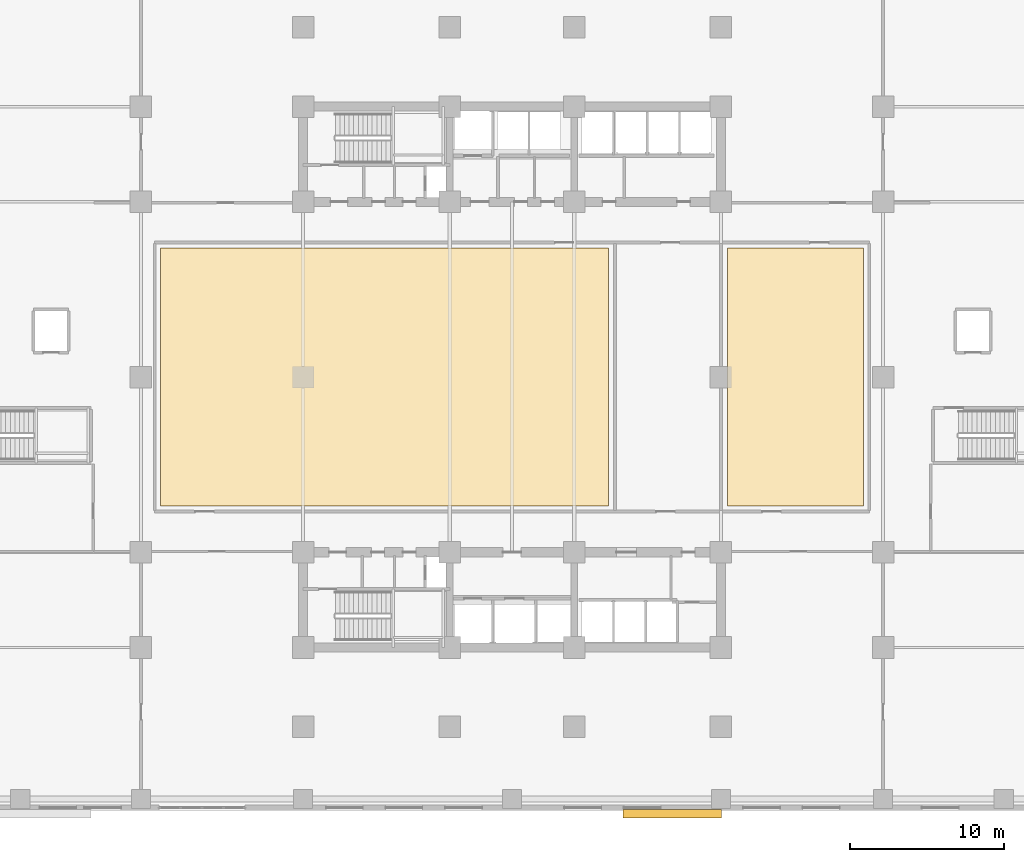
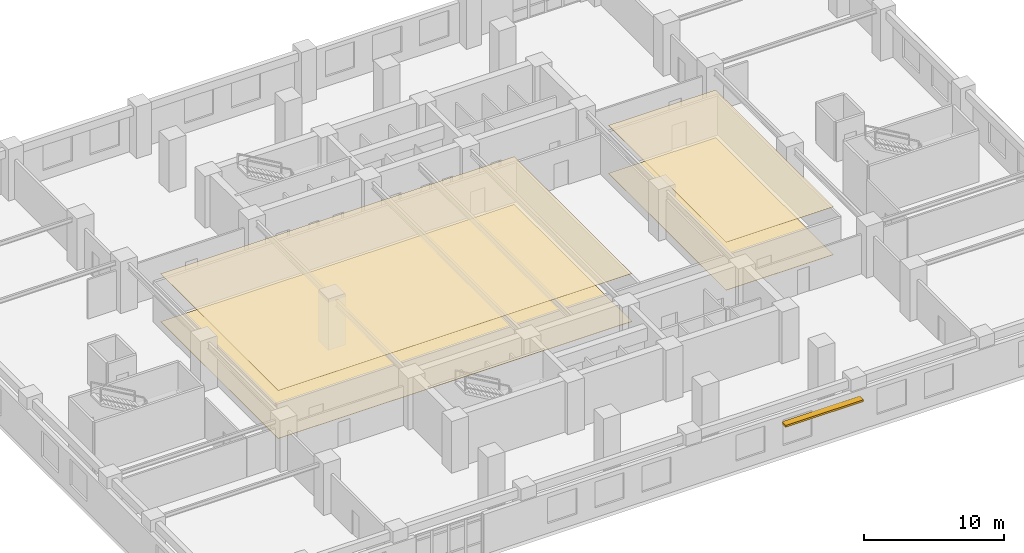
# One storey, part 12 of 14: 4 coverings, 1 shading device.
"""IFC4 building model written with IfcOpenShell, lengths in metres."""

from ifc_helpers import new_model, si_unit, direction, frame, origin, origin_2d, place, context, subcontext, project, spatial, polyline, rectangle, outline, extrude, material, layer, layer_set, type_object, element, save


model = new_model("IFC4")

# Units and contexts
model_context = context("Model", 3, precision=1e-05, world=origin(), true_north=direction((0.0, 1.0)))
body_context = subcontext(model_context, "Body", "Model", "MODEL_VIEW")
ifc_project = project(units=[si_unit("LENGTHUNIT", "METRE"), si_unit("AREAUNIT", "SQUARE_METRE"), si_unit("VOLUMEUNIT", "CUBIC_METRE"), si_unit("PLANEANGLEUNIT", "RADIAN"), si_unit("MASSUNIT", "GRAM", prefix="KILO")], contexts=[model_context])

# Site, building, storey
site_placement = place(None, origin())
site = spatial("IfcSite", under=ifc_project, at=site_placement, CompositionType="ELEMENT")
building_placement = place(site_placement, origin())
building = spatial("IfcBuilding", under=site, at=building_placement, Name="Svetorya Sky Lyceum", CompositionType="ELEMENT")
storey_placement = place(building_placement, frame((0.0, 0.0, 15.60009765625)))
storey = spatial("IfcBuildingStorey", under=building, at=storey_placement, Name="L03", CompositionType="ELEMENT", Elevation=15.60009765625)

# Coverings
ifc_material_1 = material(Name="Perforated acoustic gypsum ceiling board")
ifc_layer_1 = layer(ifc_material_1, 0.01806640625)
ifc_layer_set_1 = layer_set([ifc_layer_1], Name="Perforated acoustic gypsum ceiling board")
covering_type_1 = type_object("IfcCoveringType", Name="COV-CLG-GYP", PredefinedType="CEILING", material=ifc_layer_set_1)
covering_1_placement = place(storey_placement, frame((0.0, 0.0, 4.181884765625)))
element("IfcCovering", 1, at=covering_1_placement, inside=storey, type_object=covering_type_1, Name="Gymnasium Sports Hall Acoustic Ceiling", PredefinedType="CEILING", context=body_context, shape_type="SweptSolid", body=[
    extrude(outline(polyline([(16.330078125, 19.800048828125), (45.469970703125, 19.800048828125), (45.469970703125, 36.60009765625), (16.330078125, 36.60009765625), (16.330078125, 19.800048828125)])), origin(), (0.0, 0.0, 1.0), 0.01806640625),
])
covering_2_placement = place(storey_placement, frame((0.0, 0.0, 4.181884765625)))
element("IfcCovering", 2, at=covering_2_placement, inside=storey, type_object=covering_type_1, Name="Laboratory Chemistry Teaching Acoustic Ceiling", PredefinedType="CEILING", context=body_context, shape_type="SweptSolid", body=[
    extrude(outline(polyline([(53.22998046875, 19.800048828125), (62.070068359375, 19.800048828125), (62.070068359375, 36.60009765625), (53.22998046875, 36.60009765625), (53.22998046875, 19.800048828125)])), origin(), (0.0, 0.0, 1.0), 0.01806640625),
])
ifc_material_2 = material(Name="Honed Karelian granite terrazzo flooring", Category="masonry")
ifc_layer_2 = layer(ifc_material_2, 0.030029296875)
ifc_layer_set_2 = layer_set([ifc_layer_2], Name="Honed Karelian granite terrazzo flooring")
covering_type_2 = type_object("IfcCoveringType", Name="COV-FLR-TER", PredefinedType="FLOORING", material=ifc_layer_set_2)
covering_3_placement = place(storey_placement, origin())
element("IfcCovering", 3, at=covering_3_placement, inside=storey, type_object=covering_type_2, Name="Gymnasium Sports Hall Architectural Flooring", PredefinedType="FLOORING", context=body_context, shape_type="SweptSolid", body=[
    extrude(outline(polyline([(16.330078125, 19.800048828125), (45.469970703125, 19.800048828125), (45.469970703125, 36.60009765625), (16.330078125, 36.60009765625), (16.330078125, 19.800048828125)])), origin(), (0.0, 0.0, 1.0), 0.02978515625),
])
covering_4_placement = place(storey_placement, origin())
element("IfcCovering", 4, at=covering_4_placement, inside=storey, type_object=covering_type_2, Name="Laboratory Chemistry Teaching Architectural Flooring", PredefinedType="FLOORING", context=body_context, shape_type="SweptSolid", body=[
    extrude(outline(polyline([(53.22998046875, 19.800048828125), (62.070068359375, 19.800048828125), (62.070068359375, 36.60009765625), (53.22998046875, 36.60009765625), (53.22998046875, 19.800048828125)])), origin(), (0.0, 0.0, 1.0), 0.02978515625),
])

# Shading device
ifc_material_3 = material(Name="Champagne-anodized extruded aluminium sunshade", Category="aluminium")
ifc_layer_3 = layer(ifc_material_3, 0.159912109375)
ifc_layer_set_3 = layer_set([ifc_layer_3], Name="Champagne-anodized extruded aluminium sunshade")
shading_device_type = type_object("IfcShadingDeviceType", Name="SHD-LVR-540", PredefinedType="AWNING", material=ifc_layer_set_3)
shading_device_placement = place(storey_placement, frame((49.625, -0.219970703125, 2.77001953125), z_axis=(0.0, 0.0, 1.0), x_axis=(1.0, 0.0, 0.0)))
element("IfcShadingDevice", 5, at=shading_device_placement, inside=storey, type_object=shading_device_type, Name="L03 Solar Brise-Soleil SHD-1.6B", PredefinedType="AWNING", context=body_context, shape_type="SweptSolid", body=[
    extrude(rectangle(XDim=6.39990234375, YDim=0.5400390625, at=origin_2d()), origin(), (0.0, 0.0, 1.0), 0.159912109375),
])

save(model, "model.ifc")
